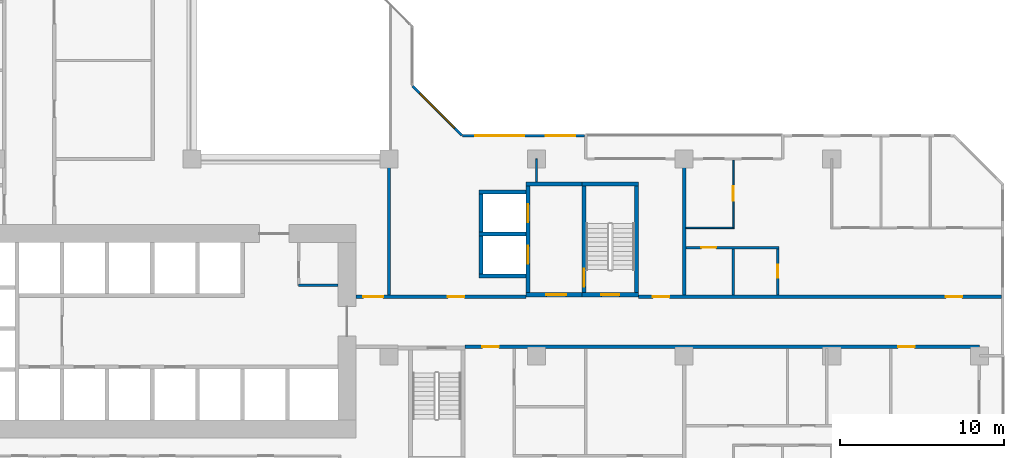
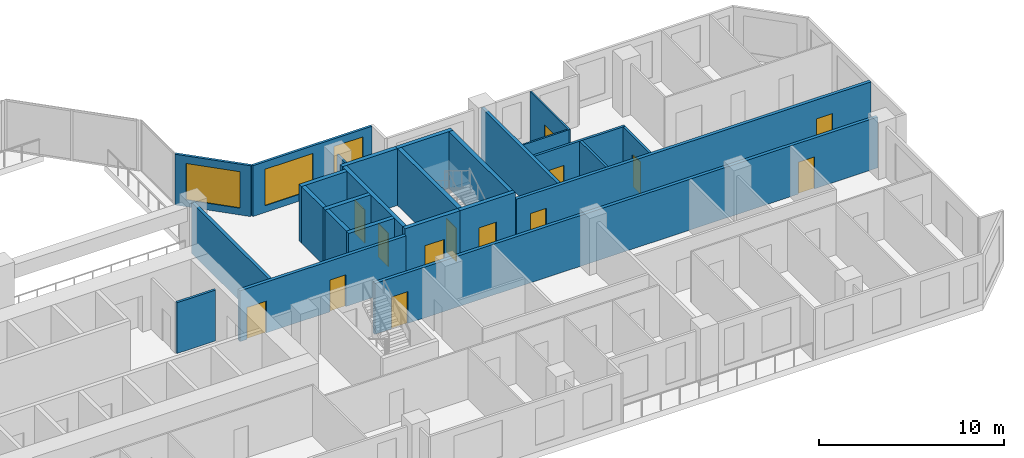
# One storey, part 7 of 15: 26 walls, 14 doors, 3 windows, 17 openings.
"""IFC4 building model written with IfcOpenShell, lengths in metres."""

from ifc_helpers import new_model, si_unit, direction, frame, frame_2d, origin, place, context, subcontext, project, spatial, rectangle, extrude, material, layer, layer_set, type_object, element, fill, save


model = new_model("IFC4")

# Units and contexts
model_context = context("Model", 3, precision=1e-05, world=origin(), true_north=direction((0.0, 1.0)))
body_context = subcontext(model_context, "Body", "Model", "MODEL_VIEW")
ifc_project = project(units=[si_unit("LENGTHUNIT", "METRE"), si_unit("AREAUNIT", "SQUARE_METRE"), si_unit("VOLUMEUNIT", "CUBIC_METRE"), si_unit("PLANEANGLEUNIT", "RADIAN"), si_unit("MASSUNIT", "GRAM", prefix="KILO")], contexts=[model_context])

# Site, building, storey
site_placement = place(None, origin())
site = spatial("IfcSite", under=ifc_project, at=site_placement, CompositionType="ELEMENT")
building_placement = place(site_placement, origin())
building = spatial("IfcBuilding", under=site, at=building_placement, Name="Chenar Terraces", CompositionType="ELEMENT")
storey_placement = place(building_placement, frame((0.0, 0.0, 67.64990234375)))
storey = spatial("IfcBuildingStorey", under=building, at=storey_placement, Name="L14", CompositionType="ELEMENT", Elevation=67.64990234375)

# Wall
ifc_material_1 = material(Name="Gypsum board on steel studs", Category="steel")
ifc_layer_1 = layer(ifc_material_1, 0.14990234375)
ifc_layer_set_1 = layer_set([ifc_layer_1], Name="Gypsum board on steel studs")
wall_type_1 = type_object("IfcWallType", Name="Core partition 150 gypsum board", PredefinedType="PARTITIONING", material=ifc_layer_set_1)
wall_1_placement = place(storey_placement, frame((30.5, 16.300048828125, 0.0), z_axis=(0.0, 0.0, 1.0), x_axis=(1.0, 0.0, 0.0)))
element("IfcWall", 1, at=wall_1_placement, inside=storey, type_object=wall_type_1, Name="Core partition CP1 vestibule room south wall", PredefinedType="PARTITIONING", context=body_context, shape_type="SweptSolid", body=[
    extrude(rectangle(XDim=2.39990234375, YDim=0.14990234375, at=frame_2d((1.199951171875, 0.0))), origin(), (0.0, 0.0, 1.0), 3.35009765625),
])

# Wall, opening, door
ifc_material_2 = material(Name="Concrete C70/85", Category="concrete")
ifc_layer_2 = layer(ifc_material_2, 0.25)
ifc_layer_set_2 = layer_set([ifc_layer_2], Name="Concrete C70/85")
wall_type_2 = type_object("IfcWallType", Name="Core wall 250 Concrete C70/85", PredefinedType="SHEAR", material=ifc_layer_set_2)
wall_2_placement = place(storey_placement, frame((47.77490234375, 15.72509765625, 0.0), z_axis=(0.0, 0.0, 1.0), x_axis=(1.0, 0.0, 0.0)))
wall_2 = element("IfcWall", 2, at=wall_2_placement, inside=storey, type_object=wall_type_2, Name="Core wall ST3_S L14", PredefinedType="SHEAR", context=body_context, shape_type="SweptSolid", body=[
    extrude(rectangle(XDim=3.4501953125, YDim=0.25, at=frame_2d((1.72509765625, 0.0))), origin(), (0.0, 0.0, 1.0), 3.75),
])
opening_1_placement = place(wall_2_placement, frame((1.175048828125, 0.0, 0.0)))
opening_1 = element("IfcOpeningElement", 3, at=opening_1_placement, cuts=wall_2, Name="Opening DL14-C8", PredefinedType="OPENING", context=body_context, shape_type="SweptSolid", body=[
    extrude(rectangle(XDim=1.10009765625, YDim=2.199951171875, at=frame_2d((0.550048828125, 1.10009765625))), frame((0.0, 0.135009765625, 0.0), z_axis=(0.0, -1.0, 0.0), x_axis=(1.0, 0.0, 0.0)), (0.0, 0.0, 1.0), 0.27001953125),
])
ifc_material_3 = material(Name="Steel-framed fire-resisting door leaf", Category="steel")
door_type_1 = type_object("IfcDoorType", Name="Stair fire door FD60 1100 x 2200", OperationType="SINGLE_SWING_LEFT", PredefinedType="DOOR", material=ifc_material_3)
door_1_placement = place(opening_1_placement, frame((1.10009765625, 0.0, 0.0), z_axis=(0.0, 0.0, 1.0), x_axis=(-1.0, 0.0, 0.0)))
door_1 = element("IfcDoor", 4, at=door_1_placement, inside=storey, type_object=door_type_1, Name="Stair door DL14-C8", OperationType="SINGLE_SWING_LEFT", OverallHeight=2.199951171875, OverallWidth=1.10009765625, PredefinedType="DOOR", context=body_context, shape_type="SweptSolid", body=[
    extrude(rectangle(XDim=1.10009765625, YDim=2.199951171875, at=frame_2d((0.550048828125, 1.10009765625))), frame((0.0, 0.02490234375, 0.0), z_axis=(0.0, -1.0, 0.0), x_axis=(1.0, 0.0, 0.0)), (0.0, 0.0, 1.0), 0.050048828125),
])
fill(opening_1, door_1)

# Wall
wall_3_placement = place(storey_placement, frame((47.77490234375, 22.47509765625, 0.0), z_axis=(0.0, 0.0, 1.0), x_axis=(1.0, 0.0, 0.0)))
element("IfcWall", 5, at=wall_3_placement, inside=storey, type_object=wall_type_2, Name="Core wall ST3_N L14", PredefinedType="SHEAR", context=body_context, shape_type="SweptSolid", body=[
    extrude(rectangle(XDim=3.4501953125, YDim=0.25, at=frame_2d((1.72509765625, 0.0))), origin(), (0.0, 0.0, 1.0), 3.75),
])

# Wall, opening, door
wall_4_placement = place(storey_placement, frame((47.89990234375, 15.85009765625, 0.0), z_axis=(0.0, 0.0, 1.0), x_axis=(0.0, 1.0, 0.0)))
wall_4 = element("IfcWall", 6, at=wall_4_placement, inside=storey, type_object=wall_type_2, Name="Core wall ST3_W L14", PredefinedType="SHEAR", context=body_context, shape_type="SweptSolid", body=[
    extrude(rectangle(XDim=6.5, YDim=0.25, at=frame_2d((3.25, 0.0))), origin(), (0.0, 0.0, 1.0), 3.75),
])
opening_2_placement = place(wall_4_placement, frame((0.35009765625, 0.0, 0.0)))
opening_2 = element("IfcOpeningElement", 7, at=opening_2_placement, cuts=wall_4, Name="Opening DL14-C11", PredefinedType="OPENING", context=body_context, shape_type="SweptSolid", body=[
    extrude(rectangle(XDim=1.10009765625, YDim=2.199951171875, at=frame_2d((0.550048828125, 1.10009765625))), frame((0.0, 0.135009765625, 0.0), z_axis=(0.0, -1.0, 0.0), x_axis=(1.0, 0.0, 0.0)), (0.0, 0.0, 1.0), 0.27001953125),
])
door_2_placement = place(opening_2_placement, frame((1.10009765625, 0.0, 0.0), z_axis=(0.0, 0.0, 1.0), x_axis=(-1.0, 0.0, 0.0)))
door_2 = element("IfcDoor", 8, at=door_2_placement, inside=storey, type_object=door_type_1, Name="Stair door DL14-C11", OperationType="SINGLE_SWING_RIGHT", OverallHeight=2.199951171875, OverallWidth=1.10009765625, PredefinedType="DOOR", context=body_context, shape_type="SweptSolid", body=[
    extrude(rectangle(XDim=1.10009765625, YDim=2.199951171875, at=frame_2d((0.550048828125, 1.10009765625))), frame((0.0, 0.02490234375, 0.0), z_axis=(0.0, -1.0, 0.0), x_axis=(1.0, 0.0, 0.0)), (0.0, 0.0, 1.0), 0.050048828125),
])
fill(opening_2, door_2)

# Wall
wall_5_placement = place(storey_placement, frame((51.10009765625, 15.85009765625, 0.0), z_axis=(0.0, 0.0, 1.0), x_axis=(0.0, 1.0, 0.0)))
element("IfcWall", 9, at=wall_5_placement, inside=storey, type_object=wall_type_2, Name="Core wall ST3_E L14", PredefinedType="SHEAR", context=body_context, shape_type="SweptSolid", body=[
    extrude(rectangle(XDim=6.5, YDim=0.25, at=frame_2d((3.25, 0.0))), origin(), (0.0, 0.0, 1.0), 3.75),
])

# Wall, opening, door
wall_6_placement = place(storey_placement, frame((44.35009765625, 15.72509765625, 0.0), z_axis=(0.0, 0.0, 1.0), x_axis=(1.0, 0.0, 0.0)))
wall_6 = element("IfcWall", 10, at=wall_6_placement, inside=storey, type_object=wall_type_2, Name="Core wall F3_LS L14", PredefinedType="SHEAR", context=body_context, shape_type="SweptSolid", body=[
    extrude(rectangle(XDim=3.4248046875, YDim=0.25, at=frame_2d((1.71240234375, 0.0))), origin(), (0.0, 0.0, 1.0), 3.75),
])
opening_3_placement = place(wall_6_placement, frame((1.25, 0.0, 0.0)))
opening_3 = element("IfcOpeningElement", 11, at=opening_3_placement, cuts=wall_6, Name="Opening DL14-C10", PredefinedType="OPENING", context=body_context, shape_type="SweptSolid", body=[
    extrude(rectangle(XDim=1.199951171875, YDim=2.199951171875, at=frame_2d((0.60009765625, 1.10009765625))), frame((0.0, 0.135009765625, 0.0), z_axis=(0.0, -1.0, 0.0), x_axis=(1.0, 0.0, 0.0)), (0.0, 0.0, 1.0), 0.27001953125),
])
ifc_material_4 = material(Name="Steel-framed fire-resisting door leaf", Category="steel")
door_type_2 = type_object("IfcDoorType", Name="Lobby fire door FD60 1200 x 2200", OperationType="SINGLE_SWING_LEFT", PredefinedType="DOOR", material=ifc_material_4)
door_3_placement = place(opening_3_placement, origin())
door_3 = element("IfcDoor", 12, at=door_3_placement, inside=storey, type_object=door_type_2, Name="Core door DL14-C10", OperationType="SINGLE_SWING_RIGHT", OverallHeight=2.199951171875, OverallWidth=1.199951171875, PredefinedType="DOOR", context=body_context, shape_type="SweptSolid", body=[
    extrude(rectangle(XDim=1.199951171875, YDim=2.199951171875, at=frame_2d((0.60009765625, 1.10009765625))), frame((0.0, 0.02490234375, 0.0), z_axis=(0.0, -1.0, 0.0), x_axis=(1.0, 0.0, 0.0)), (0.0, 0.0, 1.0), 0.050048828125),
])
fill(opening_3, door_3)

# Wall
wall_7_placement = place(storey_placement, frame((44.35009765625, 22.47509765625, 0.0), z_axis=(0.0, 0.0, 1.0), x_axis=(1.0, 0.0, 0.0)))
element("IfcWall", 13, at=wall_7_placement, inside=storey, type_object=wall_type_2, Name="Core wall F3_LN L14", PredefinedType="SHEAR", context=body_context, shape_type="SweptSolid", body=[
    extrude(rectangle(XDim=3.4248046875, YDim=0.25, at=frame_2d((1.71240234375, 0.0))), origin(), (0.0, 0.0, 1.0), 3.75),
])

# Wall, openings, doors
wall_8_placement = place(storey_placement, frame((44.47509765625, 15.85009765625, 0.0), z_axis=(0.0, 0.0, 1.0), x_axis=(0.0, 1.0, 0.0)))
wall_8 = element("IfcWall", 14, at=wall_8_placement, inside=storey, type_object=wall_type_2, Name="Core wall F3_LW L14", PredefinedType="SHEAR", context=body_context, shape_type="SweptSolid", body=[
    extrude(rectangle(XDim=6.5, YDim=0.25, at=frame_2d((3.25, 0.0))), origin(), (0.0, 0.0, 1.0), 3.75),
])
opening_4_placement = place(wall_8_placement, frame((1.75, 0.0, 0.0)))
opening_4 = element("IfcOpeningElement", 15, at=opening_4_placement, cuts=wall_8, Name="Opening DL14-LD8", PredefinedType="OPENING", context=body_context, shape_type="SweptSolid", body=[
    extrude(rectangle(XDim=1.10009765625, YDim=2.199951171875, at=frame_2d((0.550048828125, 1.10009765625))), frame((0.0, 0.135009765625, 0.0), z_axis=(0.0, -1.0, 0.0), x_axis=(1.0, 0.0, 0.0)), (0.0, 0.0, 1.0), 0.27001953125),
])
opening_5_placement = place(wall_8_placement, frame((4.300048828125, 0.0, 0.0)))
opening_5 = element("IfcOpeningElement", 16, at=opening_5_placement, cuts=wall_8, Name="Opening DL14-LD9", PredefinedType="OPENING", context=body_context, shape_type="SweptSolid", body=[
    extrude(rectangle(XDim=1.10009765625, YDim=2.199951171875, at=frame_2d((0.550048828125, 1.10009765625))), frame((0.0, 0.135009765625, 0.0), z_axis=(0.0, -1.0, 0.0), x_axis=(1.0, 0.0, 0.0)), (0.0, 0.0, 1.0), 0.27001953125),
])
ifc_material_5 = material(Name="Stainless steel", Category="steel")
door_type_3 = type_object("IfcDoorType", Name="Lift landing door 1100 x 2200 sliding", OperationType="DOUBLE_DOOR_SLIDING", PredefinedType="DOOR", material=ifc_material_5)
door_4_placement = place(opening_4_placement, origin())
door_4 = element("IfcDoor", 17, at=door_4_placement, inside=storey, type_object=door_type_3, Name="Landing door F3", OperationType="DOUBLE_DOOR_SLIDING", OverallHeight=2.199951171875, OverallWidth=1.10009765625, PredefinedType="DOOR", context=body_context, shape_type="SweptSolid", body=[
    extrude(rectangle(XDim=1.10009765625, YDim=2.199951171875, at=frame_2d((0.550048828125, 1.10009765625))), frame((0.0, 0.02490234375, 0.0), z_axis=(0.0, -1.0, 0.0), x_axis=(1.0, 0.0, 0.0)), (0.0, 0.0, 1.0), 0.050048828125),
])
fill(opening_4, door_4)
door_5_placement = place(opening_5_placement, origin())
door_5 = element("IfcDoor", 18, at=door_5_placement, inside=storey, type_object=door_type_3, Name="Landing door F4", OperationType="DOUBLE_DOOR_SLIDING", OverallHeight=2.199951171875, OverallWidth=1.10009765625, PredefinedType="DOOR", context=body_context, shape_type="SweptSolid", body=[
    extrude(rectangle(XDim=1.10009765625, YDim=2.199951171875, at=frame_2d((0.550048828125, 1.10009765625))), frame((0.0, 0.02490234375, 0.0), z_axis=(0.0, -1.0, 0.0), x_axis=(1.0, 0.0, 0.0)), (0.0, 0.0, 1.0), 0.050048828125),
])
fill(opening_5, door_5)

# Walls
for number, where, z_axis, x_axis, name in (
    (19, (41.5, 16.875, 0.0), (0.0, 0.0, 1.0), (1.0, 0.0, 0.0), "Core wall F3_SS L14"),
    (20, (41.5, 19.425048828125, 0.0), (0.0, 0.0, 1.0), (1.0, 0.0, 0.0), "Core wall F3_SM L14"),
    (21, (41.5, 21.97509765625, 0.0), (0.0, 0.0, 1.0), (1.0, 0.0, 0.0), "Core wall F4_SN L14"),
):
    element("IfcWall", number, at=place(storey_placement, frame(where, z_axis=z_axis, x_axis=x_axis)), inside=storey, type_object=wall_type_2, Name=name, PredefinedType="SHEAR", context=body_context, shape_type="SweptSolid", body=[
        extrude(rectangle(XDim=2.85009765625, YDim=0.25, at=frame_2d((1.425048828125, 0.0))), origin(), (0.0, 0.0, 1.0), 3.75),
    ])
for number, where, z_axis, x_axis, name in (
    (22, (41.625, 17.0, 0.0), (0.0, 0.0, 1.0), (0.0, 1.0, 0.0), "Core wall F3_SW L14"),
    (23, (41.625, 19.550048828125, 0.0), (0.0, 0.0, 1.0), (0.0, 1.0, 0.0), "Core wall F4_SW L14"),
):
    element("IfcWall", number, at=place(storey_placement, frame(where, z_axis=z_axis, x_axis=x_axis)), inside=storey, type_object=wall_type_2, Name=name, PredefinedType="SHEAR", context=body_context, shape_type="SweptSolid", body=[
        extrude(rectangle(XDim=2.300048828125, YDim=0.25, at=frame_2d((1.14990234375, 0.0))), origin(), (0.0, 0.0, 1.0), 3.75),
    ])

# Wall, openings, doors
ifc_material_6 = material(Name="Gypsum board on steel studs with fire boards", Category="steel")
ifc_layer_3 = layer(ifc_material_6, 0.199951171875)
ifc_layer_set_3 = layer_set([ifc_layer_3], Name="Gypsum board on steel studs with fire boards")
wall_type_3 = type_object("IfcWallType", Name="Corridor wall 200", PredefinedType="PARTITIONING", material=ifc_layer_set_3)
wall_9_placement = place(storey_placement, frame((34.0, 15.60009765625, 0.0), z_axis=(0.0, 0.0, 1.0), x_axis=(1.0, 0.0, 0.0)))
wall_9 = element("IfcWall", 24, at=wall_9_placement, inside=storey, type_object=wall_type_3, Name="Partition L14-058", PredefinedType="PARTITIONING", context=body_context, shape_type="SweptSolid", body=[
    extrude(rectangle(XDim=10.35009765625, YDim=0.199951171875, at=frame_2d((5.175048828125, 0.0))), origin(), (0.0, 0.0, 1.0), 3.35009765625),
])
opening_6_placement = place(wall_9_placement, frame((5.60009765625, 0.0, 0.0)))
opening_6 = element("IfcOpeningElement", 25, at=opening_6_placement, cuts=wall_9, Name="Opening DL14-3", PredefinedType="OPENING", context=body_context, shape_type="SweptSolid", body=[
    extrude(rectangle(XDim=1.0, YDim=2.10009765625, at=frame_2d((0.5, 1.050048828125))), frame((0.0, 0.10986328125, 0.0), z_axis=(0.0, -1.0, 0.0), x_axis=(1.0, 0.0, 0.0)), (0.0, 0.0, 1.0), 0.219970703125),
])
opening_7_placement = place(wall_9_placement, frame((0.449951171875, 0.0, 0.0)))
opening_7 = element("IfcOpeningElement", 26, at=opening_7_placement, cuts=wall_9, Name="Opening DL14-43", PredefinedType="OPENING", context=body_context, shape_type="SweptSolid", body=[
    extrude(rectangle(XDim=1.199951171875, YDim=2.10009765625, at=frame_2d((0.60009765625, 1.050048828125))), frame((0.0, 0.10986328125, 0.0), z_axis=(0.0, -1.0, 0.0), x_axis=(1.0, 0.0, 0.0)), (0.0, 0.0, 1.0), 0.219970703125),
])
ifc_material_7 = material(Name="Steel-framed fire-resisting door leaf", Category="steel")
door_type_4 = type_object("IfcDoorType", Name="Fire door FD60 1000 x 2100", OperationType="SINGLE_SWING_LEFT", PredefinedType="DOOR", material=ifc_material_7)
door_6_placement = place(opening_6_placement, origin())
door_6 = element("IfcDoor", 27, at=door_6_placement, inside=storey, type_object=door_type_4, Name="Door DL14-3", OperationType="SINGLE_SWING_RIGHT", OverallHeight=2.10009765625, OverallWidth=1.0, PredefinedType="DOOR", context=body_context, shape_type="SweptSolid", body=[
    extrude(rectangle(XDim=1.0, YDim=2.10009765625, at=frame_2d((0.5, 1.050048828125))), frame((0.0, 0.02490234375, 0.0), z_axis=(0.0, -1.0, 0.0), x_axis=(1.0, 0.0, 0.0)), (0.0, 0.0, 1.0), 0.050048828125),
])
fill(opening_6, door_6)
ifc_material_8 = material(Name="Steel-framed fire-resisting door leaf", Category="steel")
door_type_5 = type_object("IfcDoorType", Name="Fire door FD60 1200 x 2100", OperationType="SINGLE_SWING_LEFT", PredefinedType="DOOR", material=ifc_material_8)
door_7_placement = place(opening_7_placement, origin())
door_7 = element("IfcDoor", 28, at=door_7_placement, inside=storey, type_object=door_type_5, Name="Door DL14-43", OperationType="SINGLE_SWING_RIGHT", OverallHeight=2.10009765625, OverallWidth=1.199951171875, PredefinedType="DOOR", context=body_context, shape_type="SweptSolid", body=[
    extrude(rectangle(XDim=1.199951171875, YDim=2.10009765625, at=frame_2d((0.60009765625, 1.050048828125))), frame((0.0, 0.02490234375, 0.0), z_axis=(0.0, -1.0, 0.0), x_axis=(1.0, 0.0, 0.0)), (0.0, 0.0, 1.0), 0.050048828125),
])
fill(opening_7, door_7)

# Wall
wall_10_placement = place(storey_placement, frame((36.0, 15.699951171875, 0.0), z_axis=(0.0, 0.0, 1.0), x_axis=(0.0, 1.0, 0.0)))
element("IfcWall", 29, at=wall_10_placement, inside=storey, type_object=wall_type_3, Name="Partition L14-059", PredefinedType="PARTITIONING", context=body_context, shape_type="SweptSolid", body=[
    extrude(rectangle(XDim=8.300048828125, YDim=0.199951171875, at=frame_2d((4.14990234375, 0.0))), origin(), (0.0, 0.0, 1.0), 3.35009765625),
])

# Wall, openings, doors
wall_11_placement = place(storey_placement, frame((40.64990234375, 12.550048828125, 0.0), z_axis=(0.0, 0.0, 1.0), x_axis=(1.0, 0.0, 0.0)))
wall_11 = element("IfcWall", 30, at=wall_11_placement, inside=storey, type_object=wall_type_3, Name="Partition L14-060", PredefinedType="PARTITIONING", context=body_context, shape_type="SweptSolid", body=[
    extrude(rectangle(XDim=31.35009765625, YDim=0.199951171875, at=frame_2d((15.675048828125, 0.0))), origin(), (0.0, 0.0, 1.0), 3.35009765625),
])
opening_8_placement = place(wall_11_placement, frame((26.39990234375, 0.0, 0.0)))
opening_8 = element("IfcOpeningElement", 31, at=opening_8_placement, cuts=wall_11, Name="Opening DL14-16", PredefinedType="OPENING", context=body_context, shape_type="SweptSolid", body=[
    extrude(rectangle(XDim=1.0, YDim=2.10009765625, at=frame_2d((0.5, 1.050048828125))), frame((0.0, 0.10986328125, 0.0), z_axis=(0.0, -1.0, 0.0), x_axis=(1.0, 0.0, 0.0)), (0.0, 0.0, 1.0), 0.219970703125),
])
opening_9_placement = place(wall_11_placement, frame((1.050048828125, 0.0, 0.0)))
opening_9 = element("IfcOpeningElement", 32, at=opening_9_placement, cuts=wall_11, Name="Opening DL14-60", PredefinedType="OPENING", context=body_context, shape_type="SweptSolid", body=[
    extrude(rectangle(XDim=1.0, YDim=2.10009765625, at=frame_2d((0.5, 1.050048828125))), frame((0.0, 0.10986328125, 0.0), z_axis=(0.0, -1.0, 0.0), x_axis=(1.0, 0.0, 0.0)), (0.0, 0.0, 1.0), 0.219970703125),
])
ifc_material_9 = material(Name="Steel-framed fire-resisting door leaf", Category="steel")
door_type_6 = type_object("IfcDoorType", Name="Fire door FD30S 1000 x 2100", OperationType="SINGLE_SWING_LEFT", PredefinedType="DOOR", material=ifc_material_9)
door_8_placement = place(opening_8_placement, frame((1.0, 0.0, 0.0), z_axis=(0.0, 0.0, 1.0), x_axis=(-1.0, 0.0, 0.0)))
door_8 = element("IfcDoor", 33, at=door_8_placement, inside=storey, type_object=door_type_6, Name="Door DL14-16", OperationType="SINGLE_SWING_RIGHT", OverallHeight=2.10009765625, OverallWidth=1.0, PredefinedType="DOOR", context=body_context, shape_type="SweptSolid", body=[
    extrude(rectangle(XDim=1.0, YDim=2.10009765625, at=frame_2d((0.5, 1.050048828125))), frame((0.0, 0.02490234375, 0.0), z_axis=(0.0, -1.0, 0.0), x_axis=(1.0, 0.0, 0.0)), (0.0, 0.0, 1.0), 0.050048828125),
])
fill(opening_8, door_8)
door_9_placement = place(opening_9_placement, origin())
door_9 = element("IfcDoor", 34, at=door_9_placement, inside=storey, type_object=door_type_6, Name="Door DL14-60", OperationType="SINGLE_SWING_RIGHT", OverallHeight=2.10009765625, OverallWidth=1.0, PredefinedType="DOOR", context=body_context, shape_type="SweptSolid", body=[
    extrude(rectangle(XDim=1.0, YDim=2.10009765625, at=frame_2d((0.5, 1.050048828125))), frame((0.0, 0.02490234375, 0.0), z_axis=(0.0, -1.0, 0.0), x_axis=(1.0, 0.0, 0.0)), (0.0, 0.0, 1.0), 0.050048828125),
])
fill(opening_9, door_9)

wall_12_placement = place(storey_placement, frame((51.22509765625, 15.60009765625, 0.0), z_axis=(0.0, 0.0, 1.0), x_axis=(1.0, 0.0, 0.0)))
wall_12 = element("IfcWall", 35, at=wall_12_placement, inside=storey, type_object=wall_type_3, Name="Partition L14-070", PredefinedType="PARTITIONING", context=body_context, shape_type="SweptSolid", body=[
    extrude(rectangle(XDim=22.125, YDim=0.199951171875, at=frame_2d((11.0625, 0.0))), origin(), (0.0, 0.0, 1.0), 3.35009765625),
])
opening_10_placement = place(wall_12_placement, frame((18.72509765625, 0.0, 0.0)))
opening_10 = element("IfcOpeningElement", 36, at=opening_10_placement, cuts=wall_12, Name="Opening DL14-8", PredefinedType="OPENING", context=body_context, shape_type="SweptSolid", body=[
    extrude(rectangle(XDim=1.0, YDim=2.10009765625, at=frame_2d((0.5, 1.050048828125))), frame((0.0, 0.10986328125, 0.0), z_axis=(0.0, -1.0, 0.0), x_axis=(1.0, 0.0, 0.0)), (0.0, 0.0, 1.0), 0.219970703125),
])
opening_11_placement = place(wall_12_placement, frame((0.875, 0.0, 0.0)))
opening_11 = element("IfcOpeningElement", 37, at=opening_11_placement, cuts=wall_12, Name="Opening DL14-46", PredefinedType="OPENING", context=body_context, shape_type="SweptSolid", body=[
    extrude(rectangle(XDim=1.0, YDim=2.10009765625, at=frame_2d((0.5, 1.050048828125))), frame((0.0, 0.10986328125, 0.0), z_axis=(0.0, -1.0, 0.0), x_axis=(1.0, 0.0, 0.0)), (0.0, 0.0, 1.0), 0.219970703125),
])
door_10_placement = place(opening_10_placement, origin())
door_10 = element("IfcDoor", 38, at=door_10_placement, inside=storey, type_object=door_type_6, Name="Door DL14-8", OperationType="SINGLE_SWING_LEFT", OverallHeight=2.10009765625, OverallWidth=1.0, PredefinedType="DOOR", context=body_context, shape_type="SweptSolid", body=[
    extrude(rectangle(XDim=1.0, YDim=2.10009765625, at=frame_2d((0.5, 1.050048828125))), frame((0.0, 0.02490234375, 0.0), z_axis=(0.0, -1.0, 0.0), x_axis=(1.0, 0.0, 0.0)), (0.0, 0.0, 1.0), 0.050048828125),
])
fill(opening_10, door_10)
door_11_placement = place(opening_11_placement, origin())
door_11 = element("IfcDoor", 39, at=door_11_placement, inside=storey, type_object=door_type_6, Name="Door DL14-46", OperationType="SINGLE_SWING_RIGHT", OverallHeight=2.10009765625, OverallWidth=1.0, PredefinedType="DOOR", context=body_context, shape_type="SweptSolid", body=[
    extrude(rectangle(XDim=1.0, YDim=2.10009765625, at=frame_2d((0.5, 1.050048828125))), frame((0.0, 0.02490234375, 0.0), z_axis=(0.0, -1.0, 0.0), x_axis=(1.0, 0.0, 0.0)), (0.0, 0.0, 1.0), 0.050048828125),
])
fill(opening_11, door_11)

# Wall, openings, windows
ifc_material_10 = material(Name="Aluminium framed glazing", Category="aluminium")
ifc_layer_4 = layer(ifc_material_10, 0.14990234375)
ifc_layer_set_4 = layer_set([ifc_layer_4], Name="Aluminium framed glazing")
wall_type_4 = type_object("IfcWallType", Name="Glazed flush facade wall 150", PredefinedType="SOLIDWALL", material=ifc_layer_set_4)
wall_13_placement = place(storey_placement, frame((47.925048828125, 25.425048828125, 0.0), z_axis=(0.0, 0.0, 1.0), x_axis=(-1.0, 0.0, 0.0)))
wall_13 = element("IfcWall", 40, at=wall_13_placement, inside=storey, type_object=wall_type_4, Name="Glazed flush facade wall", PredefinedType="SOLIDWALL", context=body_context, shape_type="SweptSolid", body=[
    extrude(rectangle(XDim=7.425048828125, YDim=0.14990234375, at=frame_2d((3.71240234375, 0.0))), origin(), (0.0, 0.0, 1.0), 3.35009765625),
])
opening_12_placement = place(wall_13_placement, frame((0.5625, 0.0, 0.449951171875)))
opening_12 = element("IfcOpeningElement", 41, at=opening_12_placement, cuts=wall_13, Name="Opening W180x240", PredefinedType="OPENING", context=body_context, shape_type="SweptSolid", body=[
    extrude(rectangle(XDim=1.800048828125, YDim=2.39990234375, at=frame_2d((0.89990234375, 1.199951171875))), frame((0.0, 0.0849609375, 0.0), z_axis=(0.0, -1.0, 0.0), x_axis=(1.0, 0.0, 0.0)), (0.0, 0.0, 1.0), 0.169921875),
])
opening_13_placement = place(wall_13_placement, frame((3.675048828125, 0.0, 0.449951171875)))
opening_13 = element("IfcOpeningElement", 42, at=opening_13_placement, cuts=wall_13, Name="Opening W300x240", PredefinedType="OPENING", context=body_context, shape_type="SweptSolid", body=[
    extrude(rectangle(XDim=3.0, YDim=2.39990234375, at=frame_2d((1.5, 1.199951171875))), frame((0.0, 0.0849609375, 0.0), z_axis=(0.0, -1.0, 0.0), x_axis=(1.0, 0.0, 0.0)), (0.0, 0.0, 1.0), 0.169921875),
])
ifc_material_11 = material(Name="Low emissivity double glazing, aluminium frame", Category="aluminium")
window_type_1 = type_object("IfcWindowType", Name="Fixed light 1800 x 2400", PartitioningType="SINGLE_PANEL", PredefinedType="WINDOW", material=ifc_material_11)
window_1_placement = place(opening_12_placement, origin())
window_1 = element("IfcWindow", 43, at=window_1_placement, inside=storey, type_object=window_type_1, Name="Window", OverallHeight=2.39990234375, OverallWidth=1.800048828125, PartitioningType="SINGLE_PANEL", PredefinedType="WINDOW", context=body_context, shape_type="SweptSolid", body=[
    extrude(rectangle(XDim=1.800048828125, YDim=2.39990234375, at=frame_2d((0.89990234375, 1.199951171875))), frame((0.0, 0.030029296875, 0.0), z_axis=(0.0, -1.0, 0.0), x_axis=(1.0, 0.0, 0.0)), (0.0, 0.0, 1.0), 0.06005859375),
])
fill(opening_12, window_1)
ifc_material_12 = material(Name="Low emissivity double glazing, aluminium frame", Category="aluminium")
window_type_2 = type_object("IfcWindowType", Name="Fixed light 3000 x 2400", PartitioningType="SINGLE_PANEL", PredefinedType="WINDOW", material=ifc_material_12)
window_2_placement = place(opening_13_placement, origin())
window_2 = element("IfcWindow", 44, at=window_2_placement, inside=storey, type_object=window_type_2, Name="Window", OverallHeight=2.39990234375, OverallWidth=3.0, PartitioningType="SINGLE_PANEL", PredefinedType="WINDOW", context=body_context, shape_type="SweptSolid", body=[
    extrude(rectangle(XDim=3.0, YDim=2.39990234375, at=frame_2d((1.5, 1.199951171875))), frame((0.0, 0.030029296875, 0.0), z_axis=(0.0, -1.0, 0.0), x_axis=(1.0, 0.0, 0.0)), (0.0, 0.0, 1.0), 0.06005859375),
])
fill(opening_13, window_2)

# Walls
ifc_material_13 = material(Name="Gypsum board on steel studs", Category="steel")
ifc_layer_5 = layer(ifc_material_13, 0.10009765625)
ifc_layer_set_5 = layer_set([ifc_layer_5], Name="Gypsum board on steel studs")
wall_type_5 = type_object("IfcWallType", Name="Gypsum partition 100", PredefinedType="PARTITIONING", material=ifc_layer_set_5)
wall_14_placement = place(storey_placement, frame((45.0, 22.60009765625, 0.0), z_axis=(0.0, 0.0, 1.0), x_axis=(0.0, 1.0, 0.0)))
element("IfcWall", 45, at=wall_14_placement, inside=storey, type_object=wall_type_5, Name="Partition L14-066", PredefinedType="PARTITIONING", context=body_context, shape_type="SweptSolid", body=[
    extrude(rectangle(XDim=1.39990234375, YDim=0.10009765625, at=frame_2d((0.699951171875, 0.0))), origin(), (0.0, 0.0, 1.0), 3.35009765625),
])
wall_15_placement = place(storey_placement, frame((54.10009765625, 19.800048828125, 0.0), z_axis=(0.0, 0.0, 1.0), x_axis=(1.0, 0.0, 0.0)))
element("IfcWall", 46, at=wall_15_placement, inside=storey, type_object=wall_type_5, Name="Partition L14-075", PredefinedType="PARTITIONING", context=body_context, shape_type="SweptSolid", body=[
    extrude(rectangle(XDim=2.849853515625, YDim=0.10009765625, at=frame_2d((1.4248046875, 0.0))), origin(), (0.0, 0.0, 1.0), 3.35009765625),
])

# Wall, opening, door
wall_16_placement = place(storey_placement, frame((57.0, 19.75, 0.0), z_axis=(0.0, 0.0, 1.0), x_axis=(0.0, 1.0, 0.0)))
wall_16 = element("IfcWall", 47, at=wall_16_placement, inside=storey, type_object=wall_type_5, Name="Partition L14-079", PredefinedType="PARTITIONING", context=body_context, shape_type="SweptSolid", body=[
    extrude(rectangle(XDim=4.176025390625, YDim=0.10009765625, at=frame_2d((2.087890625, 0.0))), origin(), (0.0, 0.0, 1.0), 3.35009765625),
])
opening_14_placement = place(wall_16_placement, frame((1.699951171875, 0.0, 0.0)))
opening_14 = element("IfcOpeningElement", 48, at=opening_14_placement, cuts=wall_16, Name="Opening DL14-10", PredefinedType="OPENING", context=body_context, shape_type="SweptSolid", body=[
    extrude(rectangle(XDim=0.89990234375, YDim=2.10009765625, at=frame_2d((0.449951171875, 1.050048828125))), frame((0.0, 0.06005859375, 0.0), z_axis=(0.0, -1.0, 0.0), x_axis=(1.0, 0.0, 0.0)), (0.0, 0.0, 1.0), 0.1201171875),
])
ifc_material_14 = material(Name="Veneered timber door leaf", Category="wood")
door_type_7 = type_object("IfcDoorType", Name="Door 900 x 2100", OperationType="SINGLE_SWING_LEFT", PredefinedType="DOOR", material=ifc_material_14)
door_12_placement = place(opening_14_placement, origin())
door_12 = element("IfcDoor", 49, at=door_12_placement, inside=storey, type_object=door_type_7, Name="Door DL14-10", OperationType="SINGLE_SWING_LEFT", OverallHeight=2.10009765625, OverallWidth=0.89990234375, PredefinedType="DOOR", context=body_context, shape_type="SweptSolid", body=[
    extrude(rectangle(XDim=0.89990234375, YDim=2.10009765625, at=frame_2d((0.449951171875, 1.050048828125))), frame((0.0, 0.02490234375, 0.0), z_axis=(0.0, -1.0, 0.0), x_axis=(1.0, 0.0, 0.0)), (0.0, 0.0, 1.0), 0.050048828125),
])
fill(opening_14, door_12)

# Wall, opening, window
ifc_material_15 = material(Name="Terracotta cladding on insulated backing", Category="masonry")
ifc_layer_6 = layer(ifc_material_15, 0.14990234375)
ifc_layer_set_6 = layer_set([ifc_layer_6], Name="Terracotta cladding on insulated backing")
wall_type_6 = type_object("IfcWallType", Name="Terracotta rainscreen wall 150", PredefinedType="SOLIDWALL", material=ifc_layer_set_6)
wall_17_placement = place(storey_placement, frame((40.447021484375, 25.447021484375, 0.0), z_axis=(0.0, 0.0, 1.0), x_axis=(-0.707106781187, 0.707106781187, 0.0)))
wall_17 = element("IfcWall", 50, at=wall_17_placement, inside=storey, type_object=wall_type_6, Name="Terracotta rainscreen wall", PredefinedType="SOLIDWALL", context=body_context, shape_type="SweptSolid", body=[
    extrude(rectangle(XDim=4.24267578125, YDim=0.14990234375, at=frame_2d((2.121337890625, 0.0))), origin(), (0.0, 0.0, 1.0), 3.35009765625),
])
opening_15_placement = place(wall_17_placement, frame((0.621337890625, 0.0, 0.449951171875)))
opening_15 = element("IfcOpeningElement", 51, at=opening_15_placement, cuts=wall_17, Name="Opening W300x240", PredefinedType="OPENING", context=body_context, shape_type="SweptSolid", body=[
    extrude(rectangle(XDim=3.0, YDim=2.39990234375, at=frame_2d((1.5, 1.199951171875))), frame((0.0, 0.0849609375, 0.0), z_axis=(0.0, -1.0, 0.0), x_axis=(1.0, 0.0, 0.0)), (0.0, 0.0, 1.0), 0.169921875),
])
window_3_placement = place(opening_15_placement, origin())
window_3 = element("IfcWindow", 52, at=window_3_placement, inside=storey, type_object=window_type_2, Name="Window", OverallHeight=2.39990234375, OverallWidth=3.0, PartitioningType="SINGLE_PANEL", PredefinedType="WINDOW", context=body_context, shape_type="SweptSolid", body=[
    extrude(rectangle(XDim=3.0, YDim=2.39990234375, at=frame_2d((1.5, 1.199951171875))), frame((0.0, 0.030029296875, 0.0), z_axis=(0.0, -1.0, 0.0), x_axis=(1.0, 0.0, 0.0)), (0.0, 0.0, 1.0), 0.06005859375),
])
fill(opening_15, window_3)

# Wall
ifc_material_16 = material(Name="Twin gypsum board on steel studs with mineral wool", Category="steel")
ifc_layer_7 = layer(ifc_material_16, 0.199951171875)
ifc_layer_set_7 = layer_set([ifc_layer_7], Name="Twin gypsum board on steel studs with mineral wool")
wall_type_7 = type_object("IfcWallType", Name="Unit demising wall 200", PredefinedType="PARTITIONING", material=ifc_layer_set_7)
wall_18_placement = place(storey_placement, frame((54.0, 15.699951171875, 0.0), z_axis=(0.0, 0.0, 1.0), x_axis=(0.0, 1.0, 0.0)))
element("IfcWall", 53, at=wall_18_placement, inside=storey, type_object=wall_type_7, Name="Partition L14-072", PredefinedType="PARTITIONING", context=body_context, shape_type="SweptSolid", body=[
    extrude(rectangle(XDim=8.22607421875, YDim=0.199951171875, at=frame_2d((4.113037109375, 0.0))), origin(), (0.0, 0.0, 1.0), 3.35009765625),
])

# Wall, opening, door
ifc_material_17 = material(Name="Moisture-resistant gypsum board on steel studs", Category="steel")
ifc_layer_8 = layer(ifc_material_17, 0.14990234375)
ifc_layer_set_8 = layer_set([ifc_layer_8], Name="Moisture-resistant gypsum board on steel studs")
wall_type_8 = type_object("IfcWallType", Name="Wet-room partition 150", PredefinedType="PARTITIONING", material=ifc_layer_set_8)
wall_19_placement = place(storey_placement, frame((54.10009765625, 18.60009765625, 0.0), z_axis=(0.0, 0.0, 1.0), x_axis=(1.0, 0.0, 0.0)))
wall_19 = element("IfcWall", 54, at=wall_19_placement, inside=storey, type_object=wall_type_8, Name="Partition L14-074", PredefinedType="PARTITIONING", context=body_context, shape_type="SweptSolid", body=[
    extrude(rectangle(XDim=5.6748046875, YDim=0.14990234375, at=frame_2d((2.83740234375, 0.0))), origin(), (0.0, 0.0, 1.0), 3.35009765625),
])
opening_16_placement = place(wall_19_placement, frame((0.949951171875, 0.0, 0.0)))
opening_16 = element("IfcOpeningElement", 55, at=opening_16_placement, cuts=wall_19, Name="Opening DL14-7", PredefinedType="OPENING", context=body_context, shape_type="SweptSolid", body=[
    extrude(rectangle(XDim=0.89990234375, YDim=2.10009765625, at=frame_2d((0.449951171875, 1.050048828125))), frame((0.0, 0.0849609375, 0.0), z_axis=(0.0, -1.0, 0.0), x_axis=(1.0, 0.0, 0.0)), (0.0, 0.0, 1.0), 0.169921875),
])
door_13_placement = place(opening_16_placement, frame((0.89990234375, 0.0, 0.0), z_axis=(0.0, 0.0, 1.0), x_axis=(-1.0, 0.0, 0.0)))
door_13 = element("IfcDoor", 56, at=door_13_placement, inside=storey, type_object=door_type_7, Name="Door DL14-7", OperationType="SINGLE_SWING_LEFT", OverallHeight=2.10009765625, OverallWidth=0.89990234375, PredefinedType="DOOR", context=body_context, shape_type="SweptSolid", body=[
    extrude(rectangle(XDim=0.89990234375, YDim=2.10009765625, at=frame_2d((0.449951171875, 1.050048828125))), frame((0.0, 0.02490234375, 0.0), z_axis=(0.0, -1.0, 0.0), x_axis=(1.0, 0.0, 0.0)), (0.0, 0.0, 1.0), 0.050048828125),
])
fill(opening_16, door_13)

# Wall
wall_20_placement = place(storey_placement, frame((57.0, 15.699951171875, 0.0), z_axis=(0.0, 0.0, 1.0), x_axis=(0.0, 1.0, 0.0)))
element("IfcWall", 57, at=wall_20_placement, inside=storey, type_object=wall_type_8, Name="Partition L14-078", PredefinedType="PARTITIONING", context=body_context, shape_type="SweptSolid", body=[
    extrude(rectangle(XDim=2.824951171875, YDim=0.14990234375, at=frame_2d((1.41259765625, 0.0))), origin(), (0.0, 0.0, 1.0), 3.35009765625),
])

# Wall, opening, door
wall_21_placement = place(storey_placement, frame((59.699951171875, 15.699951171875, 0.0), z_axis=(0.0, 0.0, 1.0), x_axis=(0.0, 1.0, 0.0)))
wall_21 = element("IfcWall", 58, at=wall_21_placement, inside=storey, type_object=wall_type_8, Name="Partition L14-080", PredefinedType="PARTITIONING", context=body_context, shape_type="SweptSolid", body=[
    extrude(rectangle(XDim=2.824951171875, YDim=0.14990234375, at=frame_2d((1.41259765625, 0.0))), origin(), (0.0, 0.0, 1.0), 3.35009765625),
])
opening_17_placement = place(wall_21_placement, frame((1.050048828125, 0.0, 0.0)))
opening_17 = element("IfcOpeningElement", 59, at=opening_17_placement, cuts=wall_21, Name="Opening DL14-4", PredefinedType="OPENING", context=body_context, shape_type="SweptSolid", body=[
    extrude(rectangle(XDim=0.800048828125, YDim=2.10009765625, at=frame_2d((0.39990234375, 1.050048828125))), frame((0.0, 0.0849609375, 0.0), z_axis=(0.0, -1.0, 0.0), x_axis=(1.0, 0.0, 0.0)), (0.0, 0.0, 1.0), 0.169921875),
])
ifc_material_18 = material(Name="Veneered timber door leaf", Category="wood")
door_type_8 = type_object("IfcDoorType", Name="Door 800 x 2100", OperationType="SINGLE_SWING_LEFT", PredefinedType="DOOR", material=ifc_material_18)
door_14_placement = place(opening_17_placement, origin())
door_14 = element("IfcDoor", 60, at=door_14_placement, inside=storey, type_object=door_type_8, Name="Door DL14-4", OperationType="SINGLE_SWING_RIGHT", OverallHeight=2.10009765625, OverallWidth=0.800048828125, PredefinedType="DOOR", context=body_context, shape_type="SweptSolid", body=[
    extrude(rectangle(XDim=0.800048828125, YDim=2.10009765625, at=frame_2d((0.39990234375, 1.050048828125))), frame((0.0, 0.02490234375, 0.0), z_axis=(0.0, -1.0, 0.0), x_axis=(1.0, 0.0, 0.0)), (0.0, 0.0, 1.0), 0.050048828125),
])
fill(opening_17, door_14)

save(model, "model.ifc")
